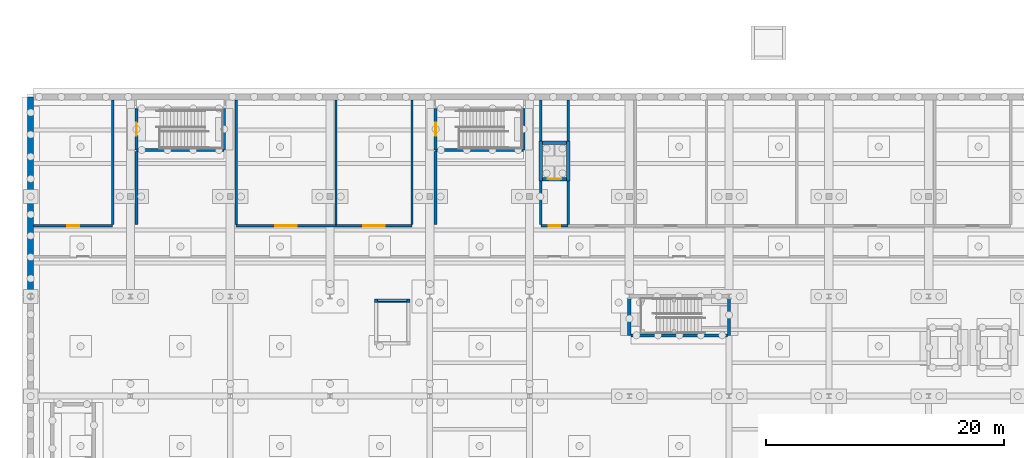
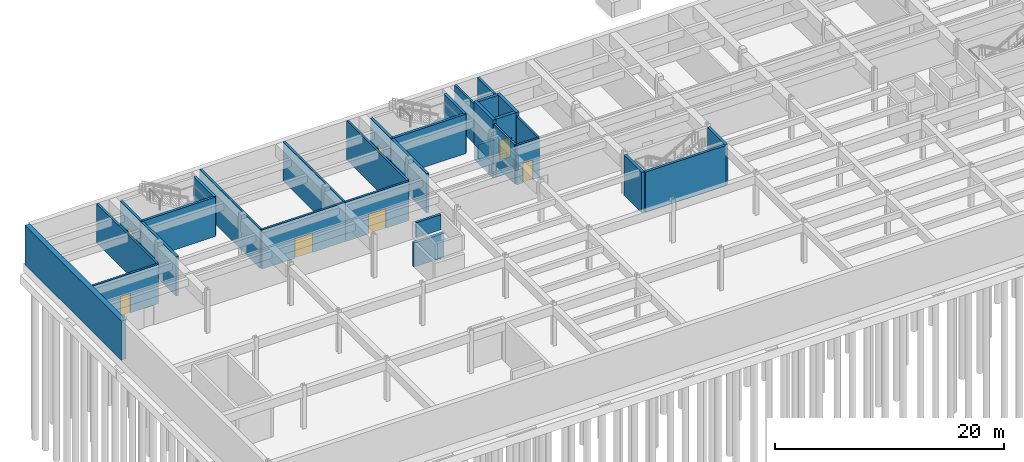
# One storey, part 22 of 33: 34 walls, 7 doors, 7 openings.
"""IFC4 building model written with IfcOpenShell, lengths in metres."""

from ifc_helpers import new_model, si_unit, direction, frame, frame_2d, origin, place, context, subcontext, project, spatial, rectangle, extrude, material, layer, layer_set, type_object, element, fill, save


model = new_model("IFC4")

# Units and contexts
model_context = context("Model", 3, precision=1e-05, world=origin(), true_north=direction((0.0, 1.0)))
body_context = subcontext(model_context, "Body", "Model", "MODEL_VIEW")
ifc_project = project(units=[si_unit("LENGTHUNIT", "METRE"), si_unit("AREAUNIT", "SQUARE_METRE"), si_unit("VOLUMEUNIT", "CUBIC_METRE"), si_unit("PLANEANGLEUNIT", "RADIAN"), si_unit("MASSUNIT", "GRAM", prefix="KILO")], contexts=[model_context])

# Site, building, storey
site_placement = place(None, origin())
site = spatial("IfcSite", under=ifc_project, at=site_placement, CompositionType="ELEMENT")
building_placement = place(site_placement, origin())
building = spatial("IfcBuilding", under=site, at=building_placement, Name="Ljudholm Concert House", CompositionType="ELEMENT")
storey_placement = place(building_placement, frame((0.0, 0.0, -4.60009765625)))
storey = spatial("IfcBuildingStorey", under=building, at=storey_placement, Name="B1", CompositionType="ELEMENT", Elevation=-4.60009765625)

# Wall, opening, door
ifc_material_1 = material(Name="Concrete masonry unit f'm 13.8 MPa", Category="masonry")
ifc_layer_1 = layer(ifc_material_1, 0.199951171875)
ifc_layer_set_1 = layer_set([ifc_layer_1], Name="Concrete masonry unit f'm 13.8 MPa")
wall_type_1 = type_object("IfcWallType", Name="MASONRY WALL 200", PredefinedType="SOLIDWALL", material=ifc_layer_set_1)
wall_1_placement = place(storey_placement, frame((4.25, 135.949951171875, 0.0), z_axis=(0.0, 0.0, 1.0), x_axis=(1.0, 0.0, 0.0)))
wall_1 = element("IfcWall", 1, at=wall_1_placement, inside=storey, type_object=wall_type_1, Name="Partition", PredefinedType="SOLIDWALL", context=body_context, shape_type="SweptSolid", body=[
    extrude(rectangle(XDim=6.64990234375, YDim=0.199951171875, at=frame_2d((3.324951171875, 0.0))), origin(), (0.0, 0.0, 1.0), 4.190185546875),
])
opening_1_placement = place(wall_1_placement, frame((2.824951171875, 0.0, 0.0)))
opening_1 = element("IfcOpeningElement", 2, at=opening_1_placement, cuts=wall_1, Name="Opening D-XB1-006", PredefinedType="OPENING", context=body_context, shape_type="SweptSolid", body=[
    extrude(rectangle(XDim=1.0, YDim=2.10009765625, at=frame_2d((0.5, 1.050048828125))), frame((0.0, 0.10986328125, 0.0), z_axis=(0.0, -1.0, 0.0), x_axis=(1.0, 0.0, 0.0)), (0.0, 0.0, 1.0), 0.219970703125),
])
ifc_material_2 = material(Name="Hollow metal door in steel frame", Category="steel")
door_type_1 = type_object("IfcDoorType", Name="SWING DOOR 1000x2100", OperationType="SINGLE_SWING_LEFT", PredefinedType="DOOR", material=ifc_material_2)
door_1_placement = place(opening_1_placement, origin())
door_1 = element("IfcDoor", 3, at=door_1_placement, inside=storey, type_object=door_type_1, Name="Waste Holding Room door", OperationType="SINGLE_SWING_LEFT", OverallHeight=2.10009765625, OverallWidth=1.0, PredefinedType="DOOR", context=body_context, shape_type="SweptSolid", body=[
    extrude(rectangle(XDim=1.0, YDim=2.10009765625, at=frame_2d((0.5, 1.050048828125))), frame((0.0, 0.02490234375, 0.0), z_axis=(0.0, -1.0, 0.0), x_axis=(1.0, 0.0, 0.0)), (0.0, 0.0, 1.0), 0.050048828125),
])
fill(opening_1, door_1)

# Wall
wall_2_placement = place(storey_placement, frame((10.89990234375, 136.050048828125, 0.0), z_axis=(0.0, 0.0, 1.0), x_axis=(0.0, 1.0, 0.0)))
element("IfcWall", 4, at=wall_2_placement, inside=storey, type_object=wall_type_1, Name="Partition", PredefinedType="SOLIDWALL", context=body_context, shape_type="SweptSolid", body=[
    extrude(rectangle(XDim=10.5, YDim=0.199951171875, at=frame_2d((5.25, 0.0))), origin(), (0.0, 0.0, 1.0), 4.190185546875),
])

# Wall, opening, door
wall_3_placement = place(storey_placement, frame((21.300048828125, 135.949951171875, 0.0), z_axis=(0.0, 0.0, 1.0), x_axis=(1.0, 0.0, 0.0)))
wall_3 = element("IfcWall", 5, at=wall_3_placement, inside=storey, type_object=wall_type_1, Name="Partition", PredefinedType="SOLIDWALL", context=body_context, shape_type="SweptSolid", body=[
    extrude(rectangle(XDim=8.39990234375, YDim=0.199951171875, at=frame_2d((4.199951171875, 0.0))), origin(), (0.0, 0.0, 1.0), 4.190185546875),
])
opening_2_placement = place(wall_3_placement, frame((3.300048828125, 0.0, 0.0)))
opening_2 = element("IfcOpeningElement", 6, at=opening_2_placement, cuts=wall_3, Name="Opening D-XB1-007", PredefinedType="OPENING", context=body_context, shape_type="SweptSolid", body=[
    extrude(rectangle(XDim=1.800048828125, YDim=2.10009765625, at=frame_2d((0.89990234375, 1.050048828125))), frame((0.0, 0.10986328125, 0.0), z_axis=(0.0, -1.0, 0.0), x_axis=(1.0, 0.0, 0.0)), (0.0, 0.0, 1.0), 0.219970703125),
])
ifc_material_3 = material(Name="Hollow metal door in steel frame", Category="steel")
door_type_2 = type_object("IfcDoorType", Name="DOUBLE DOOR 1800x2100", OperationType="DOUBLE_DOOR_SINGLE_SWING", PredefinedType="DOOR", material=ifc_material_3)
door_2_placement = place(opening_2_placement, origin())
door_2 = element("IfcDoor", 7, at=door_2_placement, inside=storey, type_object=door_type_2, Name="Hall Plant Room door", OperationType="DOUBLE_DOOR_SINGLE_SWING", OverallHeight=2.10009765625, OverallWidth=1.800048828125, PredefinedType="DOOR", context=body_context, shape_type="SweptSolid", body=[
    extrude(rectangle(XDim=1.800048828125, YDim=2.10009765625, at=frame_2d((0.89990234375, 1.050048828125))), frame((0.0, 0.02490234375, 0.0), z_axis=(0.0, -1.0, 0.0), x_axis=(1.0, 0.0, 0.0)), (0.0, 0.0, 1.0), 0.050048828125),
])
fill(opening_2, door_2)

# Walls
for number, where, z_axis, x_axis, name in (
    (8, (29.699951171875, 136.050048828125, 0.0), (0.0, 0.0, 1.0), (0.0, 1.0, 0.0), "Partition"),
    (9, (21.300048828125, 136.050048828125, 0.0), (0.0, 0.0, 1.0), (0.0, 1.0, 0.0), "Partition"),
):
    element("IfcWall", number, at=place(storey_placement, frame(where, z_axis=z_axis, x_axis=x_axis)), inside=storey, type_object=wall_type_1, Name=name, PredefinedType="SOLIDWALL", context=body_context, shape_type="SweptSolid", body=[
        extrude(rectangle(XDim=10.5, YDim=0.199951171875, at=frame_2d((5.25, 0.0))), origin(), (0.0, 0.0, 1.0), 4.190185546875),
    ])

# Wall, opening, door
wall_4_placement = place(storey_placement, frame((29.699951171875, 135.949951171875, 0.0), z_axis=(0.0, 0.0, 1.0), x_axis=(1.0, 0.0, 0.0)))
wall_4 = element("IfcWall", 10, at=wall_4_placement, inside=storey, type_object=wall_type_1, Name="Partition", PredefinedType="SOLIDWALL", context=body_context, shape_type="SweptSolid", body=[
    extrude(rectangle(XDim=6.400146484375, YDim=0.199951171875, at=frame_2d((3.2001953125, 0.0))), origin(), (0.0, 0.0, 1.0), 4.190185546875),
])
opening_3_placement = place(wall_4_placement, frame((2.300048828125, 0.0, 0.0)))
opening_3 = element("IfcOpeningElement", 11, at=opening_3_placement, cuts=wall_4, Name="Opening D-XB1-008", PredefinedType="OPENING", context=body_context, shape_type="SweptSolid", body=[
    extrude(rectangle(XDim=1.800048828125, YDim=2.10009765625, at=frame_2d((0.89990234375, 1.050048828125))), frame((0.0, 0.10986328125, 0.0), z_axis=(0.0, -1.0, 0.0), x_axis=(1.0, 0.0, 0.0)), (0.0, 0.0, 1.0), 0.219970703125),
])
door_3_placement = place(opening_3_placement, origin())
door_3 = element("IfcDoor", 12, at=door_3_placement, inside=storey, type_object=door_type_2, Name="Studio Plant Room door", OperationType="DOUBLE_DOOR_SINGLE_SWING", OverallHeight=2.10009765625, OverallWidth=1.800048828125, PredefinedType="DOOR", context=body_context, shape_type="SweptSolid", body=[
    extrude(rectangle(XDim=1.800048828125, YDim=2.10009765625, at=frame_2d((0.89990234375, 1.050048828125))), frame((0.0, 0.02490234375, 0.0), z_axis=(0.0, -1.0, 0.0), x_axis=(1.0, 0.0, 0.0)), (0.0, 0.0, 1.0), 0.050048828125),
])
fill(opening_3, door_3)

# Walls
wall_5_placement = place(storey_placement, frame((36.10009765625, 136.050048828125, 0.0), z_axis=(0.0, 0.0, 1.0), x_axis=(0.0, 1.0, 0.0)))
element("IfcWall", 13, at=wall_5_placement, inside=storey, type_object=wall_type_1, Name="Partition", PredefinedType="SOLIDWALL", context=body_context, shape_type="SweptSolid", body=[
    extrude(rectangle(XDim=10.5, YDim=0.199951171875, at=frame_2d((5.25, 0.0))), origin(), (0.0, 0.0, 1.0), 4.190185546875),
])
wall_6_placement = place(storey_placement, frame((49.25, 136.050048828125, 0.0), z_axis=(0.0, 0.0, 1.0), x_axis=(0.0, 1.0, 0.0)))
element("IfcWall", 14, at=wall_6_placement, inside=storey, type_object=wall_type_1, Name="Partition", PredefinedType="SOLIDWALL", context=body_context, shape_type="SweptSolid", body=[
    extrude(rectangle(XDim=3.675048828125, YDim=0.199951171875, at=frame_2d((1.83740234375, 0.0))), origin(), (0.0, 0.0, 1.0), 4.190185546875),
])
wall_7_placement = place(storey_placement, frame((49.25, 143.074951171875, 0.0), z_axis=(0.0, 0.0, 1.0), x_axis=(0.0, 1.0, 0.0)))
element("IfcWall", 15, at=wall_7_placement, inside=storey, type_object=wall_type_1, Name="Partition", PredefinedType="SOLIDWALL", context=body_context, shape_type="SweptSolid", body=[
    extrude(rectangle(XDim=3.47509765625, YDim=0.199951171875, at=frame_2d((1.737548828125, 0.0))), origin(), (0.0, 0.0, 1.0), 4.190185546875),
])

# Wall, opening, door
wall_8_placement = place(storey_placement, frame((46.949951171875, 135.949951171875, 0.0), z_axis=(0.0, 0.0, 1.0), x_axis=(1.0, 0.0, 0.0)))
wall_8 = element("IfcWall", 16, at=wall_8_placement, inside=storey, type_object=wall_type_1, Name="Partition", PredefinedType="SOLIDWALL", context=body_context, shape_type="SweptSolid", body=[
    extrude(rectangle(XDim=2.300048828125, YDim=0.199951171875, at=frame_2d((1.14990234375, 0.0))), origin(), (0.0, 0.0, 1.0), 4.190185546875),
])
opening_4_placement = place(wall_8_placement, frame((0.64990234375, 0.0, 0.0)))
opening_4 = element("IfcOpeningElement", 17, at=opening_4_placement, cuts=wall_8, Name="Opening D-XB1-016", PredefinedType="OPENING", context=body_context, shape_type="SweptSolid", body=[
    extrude(rectangle(XDim=1.0, YDim=2.10009765625, at=frame_2d((0.5, 1.050048828125))), frame((0.0, 0.10986328125, 0.0), z_axis=(0.0, -1.0, 0.0), x_axis=(1.0, 0.0, 0.0)), (0.0, 0.0, 1.0), 0.219970703125),
])
door_4_placement = place(opening_4_placement, origin())
door_4 = element("IfcDoor", 18, at=door_4_placement, inside=storey, type_object=door_type_1, Name="Lift Lobby door", OperationType="SINGLE_SWING_RIGHT", OverallHeight=2.10009765625, OverallWidth=1.0, PredefinedType="DOOR", context=body_context, shape_type="SweptSolid", body=[
    extrude(rectangle(XDim=1.0, YDim=2.10009765625, at=frame_2d((0.5, 1.050048828125))), frame((0.0, 0.02490234375, 0.0), z_axis=(0.0, -1.0, 0.0), x_axis=(1.0, 0.0, 0.0)), (0.0, 0.0, 1.0), 0.050048828125),
])
fill(opening_4, door_4)

# Walls
wall_9_placement = place(storey_placement, frame((46.949951171875, 136.050048828125, 0.0), z_axis=(0.0, 0.0, 1.0), x_axis=(0.0, 1.0, 0.0)))
element("IfcWall", 19, at=wall_9_placement, inside=storey, type_object=wall_type_1, Name="Partition", PredefinedType="SOLIDWALL", context=body_context, shape_type="SweptSolid", body=[
    extrude(rectangle(XDim=3.675048828125, YDim=0.199951171875, at=frame_2d((1.83740234375, 0.0))), origin(), (0.0, 0.0, 1.0), 4.190185546875),
])
wall_10_placement = place(storey_placement, frame((46.949951171875, 143.074951171875, 0.0), z_axis=(0.0, 0.0, 1.0), x_axis=(0.0, 1.0, 0.0)))
element("IfcWall", 20, at=wall_10_placement, inside=storey, type_object=wall_type_1, Name="Partition", PredefinedType="SOLIDWALL", context=body_context, shape_type="SweptSolid", body=[
    extrude(rectangle(XDim=3.47509765625, YDim=0.199951171875, at=frame_2d((1.737548828125, 0.0))), origin(), (0.0, 0.0, 1.0), 4.190185546875),
])
ifc_material_4 = material(Name="Concrete masonry unit f'm 13.8 MPa", Category="masonry")
ifc_layer_2 = layer(ifc_material_4, 0.25)
ifc_layer_set_2 = layer_set([ifc_layer_2], Name="Concrete masonry unit f'm 13.8 MPa")
wall_type_2 = type_object("IfcWallType", Name="MASONRY WALL 250", PredefinedType="SOLIDWALL", material=ifc_layer_set_2)
for number, where, z_axis, x_axis, name in (
    (21, (12.89990234375, 136.050048828125, 0.0), (0.0, 0.0, 1.0), (0.0, 1.0, 0.0), "Partition"),
    (22, (38.10009765625, 136.050048828125, 0.0), (0.0, 0.0, 1.0), (0.0, 1.0, 0.0), "Partition"),
):
    element("IfcWall", number, at=place(storey_placement, frame(where, z_axis=z_axis, x_axis=x_axis)), inside=storey, type_object=wall_type_2, Name=name, PredefinedType="SOLIDWALL", context=body_context, shape_type="SweptSolid", body=[
        extrude(rectangle(XDim=6.14990234375, YDim=0.25, at=frame_2d((3.074951171875, 0.0))), origin(), (0.0, 0.0, 1.0), 4.190185546875),
    ])
ifc_material_5 = material(Name="Concrete 6,500 psi", Category="concrete")
ifc_layer_3 = layer(ifc_material_5, 0.25)
ifc_layer_set_3 = layer_set([ifc_layer_3], Name="Concrete 6,500 psi")
wall_type_3 = type_object("IfcWallType", Name="RC CORE WALL 250", PredefinedType="SHEAR", material=ifc_layer_set_3)
wall_11_placement = place(storey_placement, frame((62.800048828125, 126.72509765625, 0.0), z_axis=(0.0, 0.0, 1.0), x_axis=(0.0, 1.0, 0.0)))
element("IfcWall", 23, at=wall_11_placement, inside=storey, type_object=wall_type_3, Name="Basement core wall", PredefinedType="SHEAR", context=body_context, shape_type="SweptSolid", body=[
    extrude(rectangle(XDim=3.088134765625, YDim=0.25, at=frame_2d((1.5439453125, 0.0))), origin(), (0.0, 0.0, 1.0), 4.300048828125),
])
wall_12_placement = place(storey_placement, frame((54.550048828125, 126.72509765625, 0.0), z_axis=(0.0, 0.0, 1.0), x_axis=(1.0, 0.0, 0.0)))
element("IfcWall", 24, at=wall_12_placement, inside=storey, type_object=wall_type_3, Name="Basement core wall", PredefinedType="SHEAR", context=body_context, shape_type="SweptSolid", body=[
    extrude(rectangle(XDim=8.125, YDim=0.25, at=frame_2d((4.0625, 0.0))), origin(), (0.0, 0.0, 1.0), 4.300048828125),
])
ifc_material_6 = material(Name="Concrete 6,500 psi", Category="concrete")
ifc_layer_4 = layer(ifc_material_6, 0.300048828125)
ifc_layer_set_4 = layer_set([ifc_layer_4], Name="Concrete 6,500 psi")
wall_type_4 = type_object("IfcWallType", Name="RC CORE WALL 300 INTERNAL", PredefinedType="SHEAR", material=ifc_layer_set_4)
wall_13_placement = place(storey_placement, frame((54.39990234375, 126.72509765625, 0.0), z_axis=(0.0, 0.0, 1.0), x_axis=(0.0, 1.0, 0.0)))
element("IfcWall", 25, at=wall_13_placement, inside=storey, type_object=wall_type_4, Name="Basement core wall", PredefinedType="SHEAR", context=body_context, shape_type="SweptSolid", body=[
    extrude(rectangle(XDim=3.088134765625, YDim=0.300048828125, at=frame_2d((1.5439453125, 0.0))), origin(), (0.0, 0.0, 1.0), 4.300048828125),
])
ifc_material_7 = material(Name="Concrete 6,500 psi", Category="concrete")
ifc_layer_5 = layer(ifc_material_7, 0.25)
ifc_layer_set_5 = layer_set([ifc_layer_5], Name="Concrete 6,500 psi")
wall_type_5 = type_object("IfcWallType", Name="RC WALL 250", PredefinedType="SOLIDWALL", material=ifc_layer_set_5)
wall_14_placement = place(storey_placement, frame((12.89990234375, 142.324951171875, 0.0), z_axis=(0.0, 0.0, 1.0), x_axis=(1.0, 0.0, 0.0)))
element("IfcWall", 26, at=wall_14_placement, inside=storey, type_object=wall_type_5, Name="Stair enclosure wall", PredefinedType="SOLIDWALL", context=body_context, shape_type="SweptSolid", body=[
    extrude(rectangle(XDim=7.39501953125, YDim=0.25, at=frame_2d((3.697509765625, 0.0))), origin(), (0.0, 0.0, 1.0), 4.190185546875),
])

# Wall, opening, door
wall_15_placement = place(storey_placement, frame((12.89990234375, 142.324951171875, 0.0), z_axis=(0.0, 0.0, 1.0), x_axis=(0.0, 1.0, 0.0)))
wall_15 = element("IfcWall", 27, at=wall_15_placement, inside=storey, type_object=wall_type_5, Name="Stair enclosure wall", PredefinedType="SOLIDWALL", context=body_context, shape_type="SweptSolid", body=[
    extrude(rectangle(XDim=3.5, YDim=0.25, at=frame_2d((1.75, 0.0))), origin(), (0.0, 0.0, 1.0), 4.190185546875),
])
opening_5_placement = place(wall_15_placement, frame((1.199951171875, 0.0, 0.0)))
opening_5 = element("IfcOpeningElement", 28, at=opening_5_placement, cuts=wall_15, Name="Opening D-XB1-001", PredefinedType="OPENING", context=body_context, shape_type="SweptSolid", body=[
    extrude(rectangle(XDim=1.10009765625, YDim=2.10009765625, at=frame_2d((0.550048828125, 1.050048828125))), frame((0.0, 0.135009765625, 0.0), z_axis=(0.0, -1.0, 0.0), x_axis=(1.0, 0.0, 0.0)), (0.0, 0.0, 1.0), 0.27001953125),
])
ifc_material_8 = material(Name="Hollow metal door in steel frame", Category="steel")
door_type_3 = type_object("IfcDoorType", Name="SWING DOOR 1100x2100", OperationType="SINGLE_SWING_LEFT", PredefinedType="DOOR", material=ifc_material_8)
door_5_placement = place(opening_5_placement, frame((1.10009765625, 0.0, 0.0), z_axis=(0.0, 0.0, 1.0), x_axis=(-1.0, 0.0, 0.0)))
door_5 = element("IfcDoor", 29, at=door_5_placement, inside=storey, type_object=door_type_3, Name="Stair door", OperationType="SINGLE_SWING_RIGHT", OverallHeight=2.10009765625, OverallWidth=1.10009765625, PredefinedType="DOOR", context=body_context, shape_type="SweptSolid", body=[
    extrude(rectangle(XDim=1.10009765625, YDim=2.10009765625, at=frame_2d((0.550048828125, 1.050048828125))), frame((0.0, 0.02490234375, 0.0), z_axis=(0.0, -1.0, 0.0), x_axis=(1.0, 0.0, 0.0)), (0.0, 0.0, 1.0), 0.050048828125),
])
fill(opening_5, door_5)

# Walls
wall_16_placement = place(storey_placement, frame((20.294921875, 142.324951171875, 0.0), z_axis=(0.0, 0.0, 1.0), x_axis=(0.0, 1.0, 0.0)))
element("IfcWall", 30, at=wall_16_placement, inside=storey, type_object=wall_type_5, Name="Stair enclosure wall", PredefinedType="SOLIDWALL", context=body_context, shape_type="SweptSolid", body=[
    extrude(rectangle(XDim=3.5, YDim=0.25, at=frame_2d((1.75, 0.0))), origin(), (0.0, 0.0, 1.0), 4.190185546875),
])
wall_17_placement = place(storey_placement, frame((38.10009765625, 142.324951171875, 0.0), z_axis=(0.0, 0.0, 1.0), x_axis=(1.0, 0.0, 0.0)))
element("IfcWall", 31, at=wall_17_placement, inside=storey, type_object=wall_type_5, Name="Stair enclosure wall", PredefinedType="SOLIDWALL", context=body_context, shape_type="SweptSolid", body=[
    extrude(rectangle(XDim=7.39501953125, YDim=0.25, at=frame_2d((3.697509765625, 0.0))), origin(), (0.0, 0.0, 1.0), 4.190185546875),
])

# Wall, opening, door
wall_18_placement = place(storey_placement, frame((38.10009765625, 142.324951171875, 0.0), z_axis=(0.0, 0.0, 1.0), x_axis=(0.0, 1.0, 0.0)))
wall_18 = element("IfcWall", 32, at=wall_18_placement, inside=storey, type_object=wall_type_5, Name="Stair enclosure wall", PredefinedType="SOLIDWALL", context=body_context, shape_type="SweptSolid", body=[
    extrude(rectangle(XDim=3.5, YDim=0.25, at=frame_2d((1.75, 0.0))), origin(), (0.0, 0.0, 1.0), 4.190185546875),
])
opening_6_placement = place(wall_18_placement, frame((1.199951171875, 0.0, 0.0)))
opening_6 = element("IfcOpeningElement", 33, at=opening_6_placement, cuts=wall_18, Name="Opening D-XB1-002", PredefinedType="OPENING", context=body_context, shape_type="SweptSolid", body=[
    extrude(rectangle(XDim=1.10009765625, YDim=2.10009765625, at=frame_2d((0.550048828125, 1.050048828125))), frame((0.0, 0.135009765625, 0.0), z_axis=(0.0, -1.0, 0.0), x_axis=(1.0, 0.0, 0.0)), (0.0, 0.0, 1.0), 0.27001953125),
])
door_6_placement = place(opening_6_placement, frame((1.10009765625, 0.0, 0.0), z_axis=(0.0, 0.0, 1.0), x_axis=(-1.0, 0.0, 0.0)))
door_6 = element("IfcDoor", 34, at=door_6_placement, inside=storey, type_object=door_type_3, Name="Stair door", OperationType="SINGLE_SWING_RIGHT", OverallHeight=2.10009765625, OverallWidth=1.10009765625, PredefinedType="DOOR", context=body_context, shape_type="SweptSolid", body=[
    extrude(rectangle(XDim=1.10009765625, YDim=2.10009765625, at=frame_2d((0.550048828125, 1.050048828125))), frame((0.0, 0.02490234375, 0.0), z_axis=(0.0, -1.0, 0.0), x_axis=(1.0, 0.0, 0.0)), (0.0, 0.0, 1.0), 0.050048828125),
])
fill(opening_6, door_6)

# Walls
wall_19_placement = place(storey_placement, frame((45.4951171875, 142.324951171875, 0.0), z_axis=(0.0, 0.0, 1.0), x_axis=(0.0, 1.0, 0.0)))
element("IfcWall", 35, at=wall_19_placement, inside=storey, type_object=wall_type_5, Name="Stair enclosure wall", PredefinedType="SOLIDWALL", context=body_context, shape_type="SweptSolid", body=[
    extrude(rectangle(XDim=3.5, YDim=0.25, at=frame_2d((1.75, 0.0))), origin(), (0.0, 0.0, 1.0), 4.190185546875),
])
wall_20_placement = place(storey_placement, frame((33.199951171875, 129.675048828125, 3.0), z_axis=(0.0, 0.0, 1.0), x_axis=(1.0, 0.0, 0.0)))
element("IfcWall", 36, at=wall_20_placement, inside=storey, type_object=wall_type_5, Name="Lift pit wall", PredefinedType="SOLIDWALL", context=body_context, shape_type="SweptSolid", body=[
    extrude(rectangle(XDim=2.5, YDim=0.25, at=frame_2d((1.25, 0.0))), origin(), (0.0, 0.0, 1.0), 1.60009765625),
])
ifc_material_9 = material(Name="Concrete 6,500 psi", Category="concrete")
ifc_layer_6 = layer(ifc_material_9, 0.300048828125)
ifc_layer_set_6 = layer_set([ifc_layer_6], Name="Concrete 6,500 psi")
wall_type_6 = type_object("IfcWallType", Name="RC WALL 300", PredefinedType="SOLIDWALL", material=ifc_layer_set_6)
for number, where, z_axis, x_axis, name in (
    (37, (46.949951171875, 139.72509765625, 0.0), (0.0, 0.0, 1.0), (0.0, 1.0, 0.0), "Lift shaft wall"),
    (38, (49.25, 139.72509765625, 0.0), (0.0, 0.0, 1.0), (0.0, 1.0, 0.0), "Lift shaft wall"),
):
    element("IfcWall", number, at=place(storey_placement, frame(where, z_axis=z_axis, x_axis=x_axis)), inside=storey, type_object=wall_type_6, Name=name, PredefinedType="SOLIDWALL", context=body_context, shape_type="SweptSolid", body=[
        extrude(rectangle(XDim=3.349853515625, YDim=0.300048828125, at=frame_2d((1.6748046875, 0.0))), origin(), (0.0, 0.0, 1.0), 4.60009765625),
    ])

# Wall, opening, door
wall_21_placement = place(storey_placement, frame((47.10009765625, 139.875, 0.0), z_axis=(0.0, 0.0, 1.0), x_axis=(1.0, 0.0, 0.0)))
wall_21 = element("IfcWall", 39, at=wall_21_placement, inside=storey, type_object=wall_type_6, Name="Lift shaft wall", PredefinedType="SOLIDWALL", context=body_context, shape_type="SweptSolid", body=[
    extrude(rectangle(XDim=2.0, YDim=0.300048828125, at=frame_2d((1.0, 0.0))), origin(), (0.0, 0.0, 1.0), 4.60009765625),
])
opening_7_placement = place(wall_21_placement, frame((0.449951171875, 0.0, 0.0)))
opening_7 = element("IfcOpeningElement", 40, at=opening_7_placement, cuts=wall_21, Name="Opening LD-XB1-005", PredefinedType="OPENING", context=body_context, shape_type="SweptSolid", body=[
    extrude(rectangle(XDim=1.10009765625, YDim=2.10009765625, at=frame_2d((0.550048828125, 1.050048828125))), frame((0.0, 0.159912109375, 0.0), z_axis=(0.0, -1.0, 0.0), x_axis=(1.0, 0.0, 0.0)), (0.0, 0.0, 1.0), 0.320068359375),
])
ifc_material_10 = material(Name="Stainless steel sliding landing door, fire-rated", Category="steel")
door_type_4 = type_object("IfcDoorType", Name="LIFT DOOR 1100x2100", OperationType="SLIDING_TO_LEFT", PredefinedType="DOOR", material=ifc_material_10)
door_7_placement = place(opening_7_placement, origin())
door_7 = element("IfcDoor", 41, at=door_7_placement, inside=storey, type_object=door_type_4, Name="Lift landing door", OperationType="SLIDING_TO_LEFT", OverallHeight=2.10009765625, OverallWidth=1.10009765625, PredefinedType="DOOR", context=body_context, shape_type="SweptSolid", body=[
    extrude(rectangle(XDim=1.10009765625, YDim=2.10009765625, at=frame_2d((0.550048828125, 1.050048828125))), frame((0.0, 0.02490234375, 0.0), z_axis=(0.0, -1.0, 0.0), x_axis=(1.0, 0.0, 0.0)), (0.0, 0.0, 1.0), 0.050048828125),
])
fill(opening_7, door_7)

# Walls
wall_22_placement = place(storey_placement, frame((47.10009765625, 142.925048828125, 0.0), z_axis=(0.0, 0.0, 1.0), x_axis=(1.0, 0.0, 0.0)))
element("IfcWall", 42, at=wall_22_placement, inside=storey, type_object=wall_type_6, Name="Lift shaft wall", PredefinedType="SOLIDWALL", context=body_context, shape_type="SweptSolid", body=[
    extrude(rectangle(XDim=2.0, YDim=0.300048828125, at=frame_2d((1.0, 0.0))), origin(), (0.0, 0.0, 1.0), 4.60009765625),
])
for number, where, z_axis, x_axis, name in (
    (43, (46.949951171875, 139.72509765625, -1.599853515625), (0.0, 0.0, 1.0), (0.0, 1.0, 0.0), "Lift pit wall"),
    (44, (49.25, 139.72509765625, -1.599853515625), (0.0, 0.0, 1.0), (0.0, 1.0, 0.0), "Lift pit wall"),
):
    element("IfcWall", number, at=place(storey_placement, frame(where, z_axis=z_axis, x_axis=x_axis)), inside=storey, type_object=wall_type_6, Name=name, PredefinedType="SOLIDWALL", context=body_context, shape_type="SweptSolid", body=[
        extrude(rectangle(XDim=3.349853515625, YDim=0.300048828125, at=frame_2d((1.6748046875, 0.0))), origin(), (0.0, 0.0, 1.0), 1.599853515625),
    ])
for number, where, z_axis, x_axis, name in (
    (45, (47.10009765625, 139.875, -1.599853515625), (0.0, 0.0, 1.0), (1.0, 0.0, 0.0), "Lift pit wall"),
    (46, (47.10009765625, 142.925048828125, -1.599853515625), (0.0, 0.0, 1.0), (1.0, 0.0, 0.0), "Lift pit wall"),
):
    element("IfcWall", number, at=place(storey_placement, frame(where, z_axis=z_axis, x_axis=x_axis)), inside=storey, type_object=wall_type_6, Name=name, PredefinedType="SOLIDWALL", context=body_context, shape_type="SweptSolid", body=[
        extrude(rectangle(XDim=2.0, YDim=0.300048828125, at=frame_2d((1.0, 0.0))), origin(), (0.0, 0.0, 1.0), 1.599853515625),
    ])
wall_23_placement = place(storey_placement, frame((32.949951171875, 129.64990234375, 0.0), z_axis=(0.0, 0.0, 1.0), x_axis=(1.0, 0.0, 0.0)))
element("IfcWall", 47, at=wall_23_placement, inside=storey, type_object=wall_type_6, Name="Lift pit support wall", PredefinedType="SOLIDWALL", context=body_context, shape_type="SweptSolid", body=[
    extrude(rectangle(XDim=3.0, YDim=0.300048828125, at=frame_2d((1.5, 0.0))), origin(), (0.0, 0.0, 1.0), 2.550048828125),
])
ifc_material_11 = material(Name="Concrete 6,500 psi", Category="concrete")
ifc_layer_7 = layer(ifc_material_11, 0.5)
ifc_layer_set_7 = layer_set([ifc_layer_7], Name="Concrete 6,500 psi")
wall_type_7 = type_object("IfcWallType", Name="RC WALL 500", PredefinedType="SOLIDWALL", material=ifc_layer_set_7)
wall_24_placement = place(storey_placement, frame((4.0, 130.0, 0.0), z_axis=(0.0, 0.0, 1.0), x_axis=(0.0, 1.0, 0.0)))
element("IfcWall", 48, at=wall_24_placement, inside=storey, type_object=wall_type_7, Name="Basement wall", PredefinedType="SOLIDWALL", context=body_context, shape_type="SweptSolid", body=[
    extrude(rectangle(XDim=16.800048828125, YDim=0.5, at=frame_2d((8.39990234375, 0.0))), origin(), (0.0, 0.0, 1.0), 4.190185546875),
])

save(model, "model.ifc")
